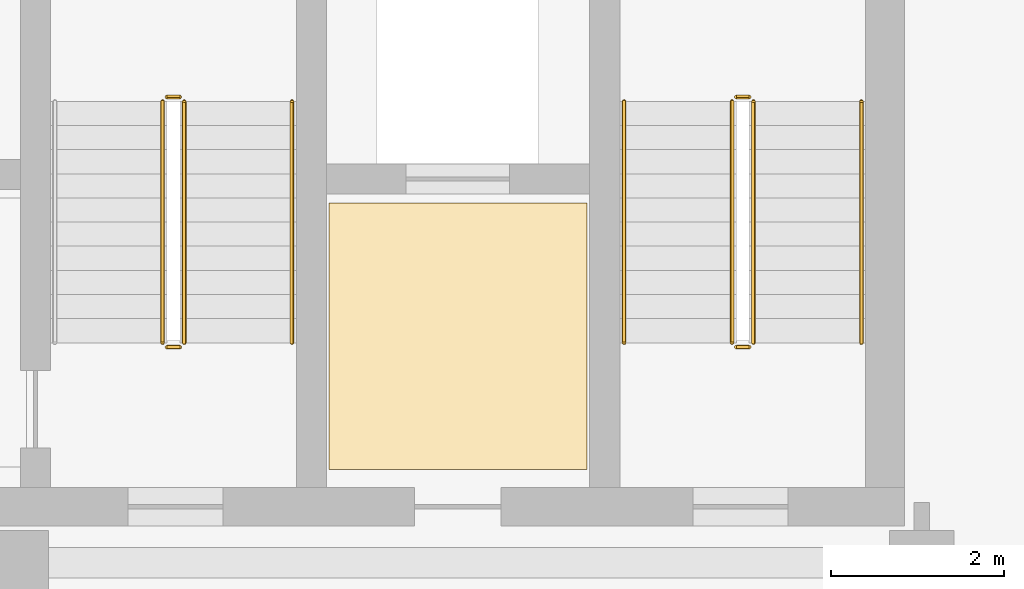
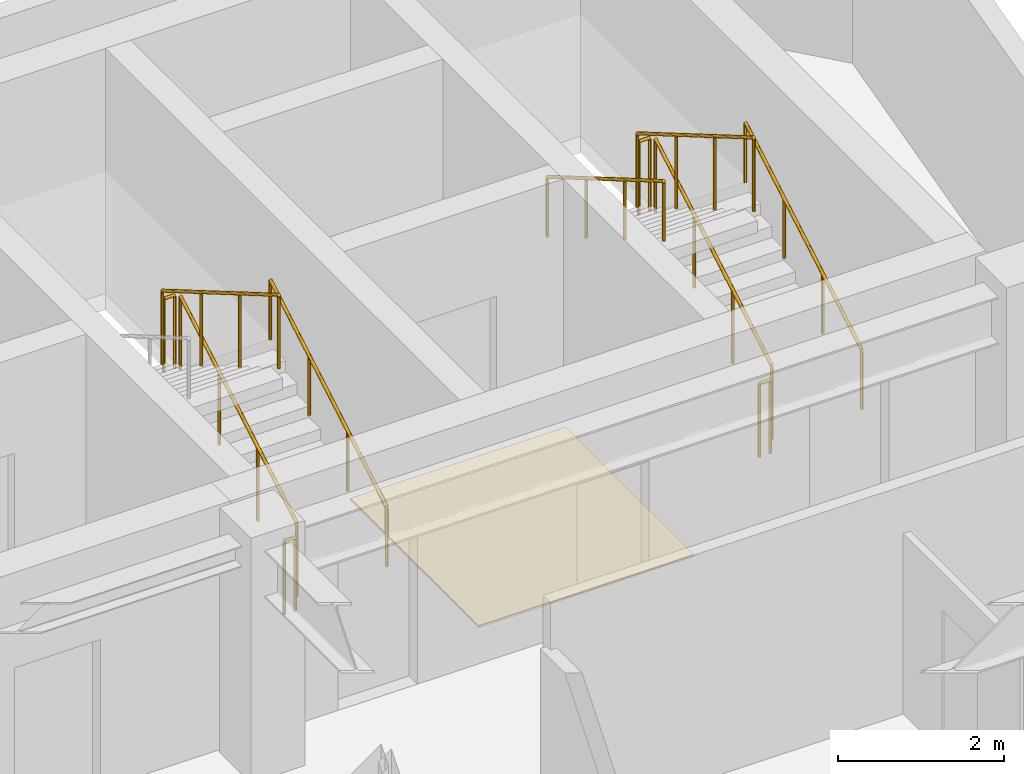
# One storey, part 19 of 19: 11 railings, 1 covering.
"""IFC4 building model written with IfcOpenShell, lengths in metres."""

from ifc_helpers import new_model, si_unit, direction, frame, origin, origin_2d, place, context, subcontext, project, spatial, polyline, circle, outline, extrude, material, layer, layer_set, type_object, element, save


model = new_model("IFC4")

# Units and contexts
model_context = context("Model", 3, precision=1e-05, world=origin(), true_north=direction((0.0, 1.0)))
body_context = subcontext(model_context, "Body", "Model", "MODEL_VIEW")
ifc_project = project(units=[si_unit("LENGTHUNIT", "METRE"), si_unit("AREAUNIT", "SQUARE_METRE"), si_unit("VOLUMEUNIT", "CUBIC_METRE"), si_unit("PLANEANGLEUNIT", "RADIAN"), si_unit("MASSUNIT", "GRAM", prefix="KILO")], contexts=[model_context])

# Site, building, storey
site_placement = place(None, origin())
site = spatial("IfcSite", under=ifc_project, at=site_placement, CompositionType="ELEMENT")
building_placement = place(site_placement, origin())
building = spatial("IfcBuilding", under=site, at=building_placement, Name="Kravanh Interchange Tower", CompositionType="ELEMENT")
storey_placement = place(building_placement, frame((0.0, 0.0, 259.800048828125)))
storey = spatial("IfcBuildingStorey", under=building, at=storey_placement, Name="L63", CompositionType="ELEMENT", Elevation=259.800048828125)

# Covering
ifc_material_1 = material(Name="Cementitious Terrazzo Tile")
ifc_layer_1 = layer(ifc_material_1, 0.030029296875)
ifc_layer_set_1 = layer_set([ifc_layer_1], Name="Honed Terrazzo Lobby Flooring 30mm")
covering_type = type_object("IfcCoveringType", Name="Honed Terrazzo Lobby Flooring 30mm", PredefinedType="FLOORING", material=ifc_layer_set_1)
covering_placement = place(storey_placement, origin())
element("IfcCovering", 1, at=covering_placement, inside=storey, type_object=covering_type, Name="L63 Service Lift Lobby Floor Finish", PredefinedType="FLOORING", context=body_context, shape_type="SweptSolid", body=[
    extrude(outline(polyline([(59.6298828125, 41.52001953125), (62.6201171875, 41.52001953125), (62.6201171875, 38.429931640625), (59.6298828125, 38.429931640625), (59.6298828125, 41.52001953125)])), origin(), (0.0, 0.0, 1.0), 0.030029296875),
])

# Railings
ifc_material_2 = material(Name="Structural Steel S355", Category="steel")
ifc_layer_2 = layer(ifc_material_2, 0.050048828125)
ifc_layer_set_2 = layer_set([ifc_layer_2], Name="Stair Well Guardrail Structural Steel S355 1100mm")
railing_type_1 = type_object("IfcRailingType", Name="Stair Well Guardrail Structural Steel S355 1100mm", PredefinedType="GUARDRAIL", material=ifc_layer_set_2)
railing_1_placement = place(storey_placement, frame((64.550048828125, 39.89990234375, 0.16357421875)))
element("IfcRailing", 2, at=railing_1_placement, inside=storey, type_object=railing_type_1, Name="L63 ST1 stair guard 1", PredefinedType="GUARDRAIL", context=body_context, shape_type="SweptSolid", body=[
    extrude(circle(Radius=0.02392578125, at=origin_2d()), frame((0.0, 0.0, 1.076171875), z_axis=(0.0, 0.863360870873, 0.504586966384), x_axis=(-1.0, 0.0, 0.0)), (0.0, 0.0, 1.0), 3.2431640625),
    extrude(circle(Radius=0.02099609375, at=origin_2d()), origin(), (0.0, 0.0, 1.0), 1.052001953125),
    extrude(circle(Radius=0.02099609375, at=origin_2d()), frame((0.0, 0.933349609375, 0.54541015625)), (0.0, 0.0, 1.0), 1.052001953125),
    extrude(circle(Radius=0.02099609375, at=origin_2d()), frame((0.0, 1.86669921875, 1.091064453125)), (0.0, 0.0, 1.0), 1.052001953125),
    extrude(circle(Radius=0.02099609375, at=origin_2d()), frame((0.0, 2.800048828125, 1.636474609375)), (0.0, 0.0, 1.0), 1.052001953125),
])
railing_2_placement = place(storey_placement, frame((64.5, 42.75, 1.800048828125)))
element("IfcRailing", 3, at=railing_2_placement, inside=storey, type_object=railing_type_1, Name="L63 ST1 stair guard 2", PredefinedType="GUARDRAIL", context=body_context, shape_type="SweptSolid", body=[
    extrude(circle(Radius=0.02392578125, at=origin_2d()), frame((0.0, 0.0, 1.076171875), z_axis=(-1.0, 0.0, 0.0), x_axis=(0.0, -1.0, 0.0)), (0.0, 0.0, 1.0), 0.14990234375),
    extrude(circle(Radius=0.02099609375, at=origin_2d()), origin(), (0.0, 0.0, 1.0), 1.052001953125),
    extrude(circle(Radius=0.02099609375, at=origin_2d()), frame((-0.14990234375, 0.0, 0.0)), (0.0, 0.0, 1.0), 1.052001953125),
])
railing_3_placement = place(storey_placement, frame((64.300048828125, 42.699951171875, 1.963623046875)))
element("IfcRailing", 4, at=railing_3_placement, inside=storey, type_object=railing_type_1, Name="L63 ST1 stair guard 3", PredefinedType="GUARDRAIL", context=body_context, shape_type="SweptSolid", body=[
    extrude(circle(Radius=0.02392578125, at=origin_2d()), frame((0.0, 0.0, 1.076171875), z_axis=(0.0, -0.863393664356, 0.504530851732), x_axis=(1.0, 0.0, 0.0)), (0.0, 0.0, 1.0), 3.2431640625),
    extrude(circle(Radius=0.02099609375, at=origin_2d()), origin(), (0.0, 0.0, 1.0), 1.052001953125),
    extrude(circle(Radius=0.02099609375, at=origin_2d()), frame((0.0, -0.933349609375, 0.54541015625)), (0.0, 0.0, 1.0), 1.052001953125),
    extrude(circle(Radius=0.02099609375, at=origin_2d()), frame((0.0, -1.86669921875, 1.0908203125)), (0.0, 0.0, 1.0), 1.052001953125),
    extrude(circle(Radius=0.02099609375, at=origin_2d()), frame((0.0, -2.800048828125, 1.63623046875)), (0.0, 0.0, 1.0), 1.052001953125),
])
railing_4_placement = place(storey_placement, frame((64.5, 39.85009765625, 0.0)))
element("IfcRailing", 5, at=railing_4_placement, inside=storey, type_object=railing_type_1, Name="L63 ST1 stair guard 4", PredefinedType="GUARDRAIL", context=body_context, shape_type="SweptSolid", body=[
    extrude(circle(Radius=0.02392578125, at=origin_2d()), frame((0.0, 0.0, 1.076171875), z_axis=(-1.0, 0.0, 0.0), x_axis=(0.0, -1.0, 0.0)), (0.0, 0.0, 1.0), 0.14990234375),
    extrude(circle(Radius=0.02099609375, at=origin_2d()), origin(), (0.0, 0.0, 1.0), 1.052001953125),
    extrude(circle(Radius=0.02099609375, at=origin_2d()), frame((-0.14990234375, 0.0, 0.0)), (0.0, 0.0, 1.0), 1.052001953125),
])
railing_5_placement = place(storey_placement, frame((57.949951171875, 39.89990234375, 0.16357421875)))
element("IfcRailing", 6, at=railing_5_placement, inside=storey, type_object=railing_type_1, Name="L63 ST2 stair guard 1", PredefinedType="GUARDRAIL", context=body_context, shape_type="SweptSolid", body=[
    extrude(circle(Radius=0.02392578125, at=origin_2d()), frame((0.0, 0.0, 1.076171875), z_axis=(0.0, 0.863360870873, 0.504586966384), x_axis=(-1.0, 0.0, 0.0)), (0.0, 0.0, 1.0), 3.2431640625),
    extrude(circle(Radius=0.02099609375, at=origin_2d()), origin(), (0.0, 0.0, 1.0), 1.052001953125),
    extrude(circle(Radius=0.02099609375, at=origin_2d()), frame((0.0, 0.933349609375, 0.54541015625)), (0.0, 0.0, 1.0), 1.052001953125),
    extrude(circle(Radius=0.02099609375, at=origin_2d()), frame((0.0, 1.86669921875, 1.091064453125)), (0.0, 0.0, 1.0), 1.052001953125),
    extrude(circle(Radius=0.02099609375, at=origin_2d()), frame((0.0, 2.800048828125, 1.636474609375)), (0.0, 0.0, 1.0), 1.052001953125),
])
railing_6_placement = place(storey_placement, frame((57.89990234375, 42.75, 1.800048828125)))
element("IfcRailing", 7, at=railing_6_placement, inside=storey, type_object=railing_type_1, Name="L63 ST2 stair guard 2", PredefinedType="GUARDRAIL", context=body_context, shape_type="SweptSolid", body=[
    extrude(circle(Radius=0.02392578125, at=origin_2d()), frame((0.0, 0.0, 1.076171875), z_axis=(-1.0, 0.0, 0.0), x_axis=(0.0, -1.0, 0.0)), (0.0, 0.0, 1.0), 0.14990234375),
    extrude(circle(Radius=0.02099609375, at=origin_2d()), origin(), (0.0, 0.0, 1.0), 1.052001953125),
    extrude(circle(Radius=0.02099609375, at=origin_2d()), frame((-0.14990234375, 0.0, 0.0)), (0.0, 0.0, 1.0), 1.052001953125),
])
railing_7_placement = place(storey_placement, frame((57.699951171875, 42.699951171875, 1.963623046875)))
element("IfcRailing", 8, at=railing_7_placement, inside=storey, type_object=railing_type_1, Name="L63 ST2 stair guard 3", PredefinedType="GUARDRAIL", context=body_context, shape_type="SweptSolid", body=[
    extrude(circle(Radius=0.02392578125, at=origin_2d()), frame((0.0, 0.0, 1.076171875), z_axis=(0.0, -0.863393664356, 0.504530851732), x_axis=(1.0, 0.0, 0.0)), (0.0, 0.0, 1.0), 3.2431640625),
    extrude(circle(Radius=0.02099609375, at=origin_2d()), origin(), (0.0, 0.0, 1.0), 1.052001953125),
    extrude(circle(Radius=0.02099609375, at=origin_2d()), frame((0.0, -0.933349609375, 0.54541015625)), (0.0, 0.0, 1.0), 1.052001953125),
    extrude(circle(Radius=0.02099609375, at=origin_2d()), frame((0.0, -1.86669921875, 1.0908203125)), (0.0, 0.0, 1.0), 1.052001953125),
    extrude(circle(Radius=0.02099609375, at=origin_2d()), frame((0.0, -2.800048828125, 1.63623046875)), (0.0, 0.0, 1.0), 1.052001953125),
])
railing_8_placement = place(storey_placement, frame((57.89990234375, 39.85009765625, 0.0)))
element("IfcRailing", 9, at=railing_8_placement, inside=storey, type_object=railing_type_1, Name="L63 ST2 stair guard 4", PredefinedType="GUARDRAIL", context=body_context, shape_type="SweptSolid", body=[
    extrude(circle(Radius=0.02392578125, at=origin_2d()), frame((0.0, 0.0, 1.076171875), z_axis=(-1.0, 0.0, 0.0), x_axis=(0.0, -1.0, 0.0)), (0.0, 0.0, 1.0), 0.14990234375),
    extrude(circle(Radius=0.02099609375, at=origin_2d()), origin(), (0.0, 0.0, 1.0), 1.052001953125),
    extrude(circle(Radius=0.02099609375, at=origin_2d()), frame((-0.14990234375, 0.0, 0.0)), (0.0, 0.0, 1.0), 1.052001953125),
])
ifc_material_3 = material(Name="Stainless Steel 304", Category="steel")
ifc_layer_3 = layer(ifc_material_3, 0.044921875)
ifc_layer_set_3 = layer_set([ifc_layer_3], Name="Tubular Stair Handrail Stainless 304 900mm")
railing_type_2 = type_object("IfcRailingType", Name="Tubular Stair Handrail Stainless 304 900mm", PredefinedType="HANDRAIL", material=ifc_layer_set_3)
railing_9_placement = place(storey_placement, frame((65.800048828125, 39.89990234375, 0.16357421875)))
element("IfcRailing", 10, at=railing_9_placement, inside=storey, type_object=railing_type_2, Name="L63 ST1 stair handrail 1", PredefinedType="HANDRAIL", context=body_context, shape_type="SweptSolid", body=[
    extrude(circle(Radius=0.02392578125, at=origin_2d()), frame((0.0, 0.0, 0.8759765625), z_axis=(0.0, 0.863360870873, 0.504586966384), x_axis=(-1.0, 0.0, 0.0)), (0.0, 0.0, 1.0), 3.2431640625),
    extrude(circle(Radius=0.02099609375, at=origin_2d()), origin(), (0.0, 0.0, 1.0), 0.851806640625),
    extrude(circle(Radius=0.02099609375, at=origin_2d()), frame((0.0, 0.933349609375, 0.54541015625)), (0.0, 0.0, 1.0), 0.851806640625),
    extrude(circle(Radius=0.02099609375, at=origin_2d()), frame((0.0, 1.86669921875, 1.091064453125)), (0.0, 0.0, 1.0), 0.851806640625),
    extrude(circle(Radius=0.02099609375, at=origin_2d()), frame((0.0, 2.800048828125, 1.636474609375)), (0.0, 0.0, 1.0), 0.851806640625),
])
railing_10_placement = place(storey_placement, frame((63.050048828125, 42.699951171875, 1.963623046875)))
element("IfcRailing", 11, at=railing_10_placement, inside=storey, type_object=railing_type_2, Name="L63 ST1 stair handrail 2", PredefinedType="HANDRAIL", context=body_context, shape_type="SweptSolid", body=[
    extrude(circle(Radius=0.02392578125, at=origin_2d()), frame((0.0, 0.0, 0.8759765625), z_axis=(0.0, -0.863393664356, 0.504530851732), x_axis=(1.0, 0.0, 0.0)), (0.0, 0.0, 1.0), 3.2431640625),
    extrude(circle(Radius=0.02099609375, at=origin_2d()), origin(), (0.0, 0.0, 1.0), 0.851806640625),
    extrude(circle(Radius=0.02099609375, at=origin_2d()), frame((0.0, -0.933349609375, 0.54541015625)), (0.0, 0.0, 1.0), 0.851806640625),
    extrude(circle(Radius=0.02099609375, at=origin_2d()), frame((0.0, -1.86669921875, 1.0908203125)), (0.0, 0.0, 1.0), 0.851806640625),
    extrude(circle(Radius=0.02099609375, at=origin_2d()), frame((0.0, -2.800048828125, 1.63623046875)), (0.0, 0.0, 1.0), 0.851806640625),
])
railing_11_placement = place(storey_placement, frame((59.199951171875, 39.89990234375, 0.16357421875)))
element("IfcRailing", 12, at=railing_11_placement, inside=storey, type_object=railing_type_2, Name="L63 ST2 stair handrail 1", PredefinedType="HANDRAIL", context=body_context, shape_type="SweptSolid", body=[
    extrude(circle(Radius=0.02392578125, at=origin_2d()), frame((0.0, 0.0, 0.8759765625), z_axis=(0.0, 0.863360870873, 0.504586966384), x_axis=(-1.0, 0.0, 0.0)), (0.0, 0.0, 1.0), 3.2431640625),
    extrude(circle(Radius=0.02099609375, at=origin_2d()), origin(), (0.0, 0.0, 1.0), 0.851806640625),
    extrude(circle(Radius=0.02099609375, at=origin_2d()), frame((0.0, 0.933349609375, 0.54541015625)), (0.0, 0.0, 1.0), 0.851806640625),
    extrude(circle(Radius=0.02099609375, at=origin_2d()), frame((0.0, 1.86669921875, 1.091064453125)), (0.0, 0.0, 1.0), 0.851806640625),
    extrude(circle(Radius=0.02099609375, at=origin_2d()), frame((0.0, 2.800048828125, 1.636474609375)), (0.0, 0.0, 1.0), 0.851806640625),
])

save(model, "model.ifc")
